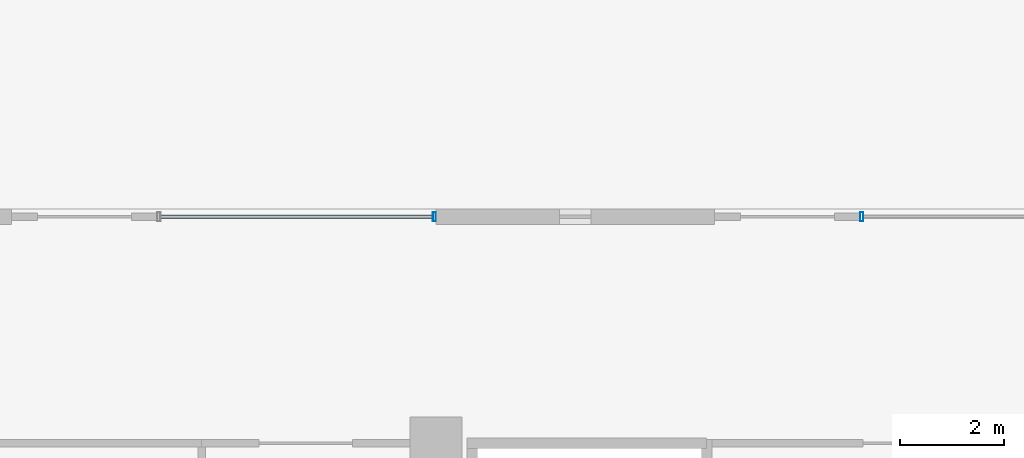
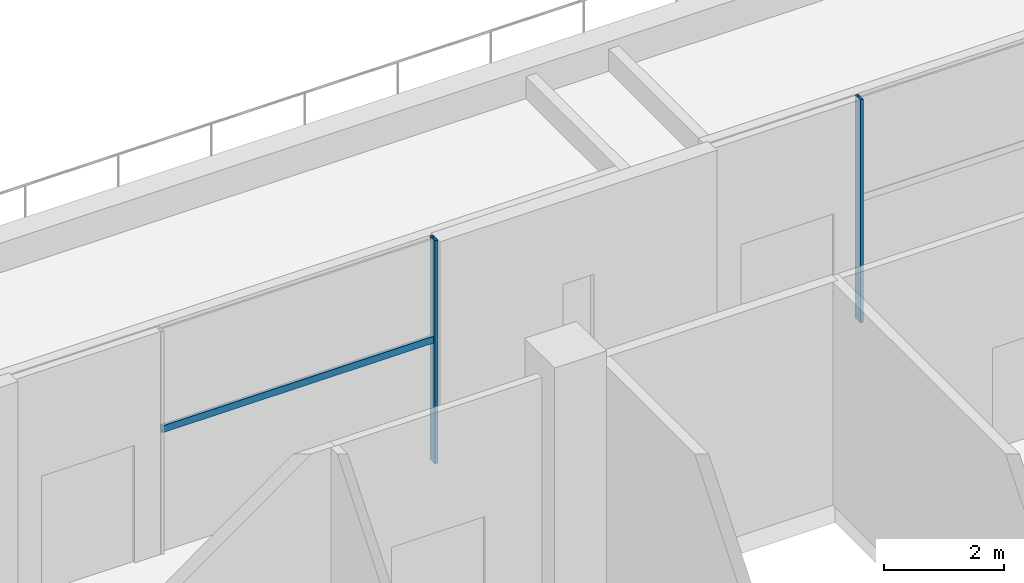
# One storey, part 21 of 49: 3 members, 2 elements without a shape of their own.
"""IFC4 building model written with IfcOpenShell, lengths in metres."""

from ifc_helpers import new_model, si_unit, direction, frame, origin, origin_2d, place, context, subcontext, project, spatial, hollow_rectangle, extrude, material, material_profile, profile_set, type_object, element, aggregate, save


model = new_model("IFC4")

# Units and contexts
model_context = context("Model", 3, precision=1e-05, world=origin(), true_north=direction((0.0, 1.0)))
body_context = subcontext(model_context, "Body", "Model", "MODEL_VIEW")
ifc_project = project(units=[si_unit("LENGTHUNIT", "METRE"), si_unit("AREAUNIT", "SQUARE_METRE"), si_unit("VOLUMEUNIT", "CUBIC_METRE"), si_unit("PLANEANGLEUNIT", "RADIAN"), si_unit("MASSUNIT", "GRAM", prefix="KILO")], contexts=[model_context])

# Site, building, storey
site_placement = place(None, origin())
site = spatial("IfcSite", under=ifc_project, at=site_placement, CompositionType="ELEMENT")
building_placement = place(site_placement, origin())
building = spatial("IfcBuilding", under=site, at=building_placement, Name="Altepetl Exchange Towers", CompositionType="ELEMENT")
storey_placement = place(building_placement, frame((0.0, 0.0, 11.5)))
storey = spatial("IfcBuildingStorey", under=building, at=storey_placement, Name="L02 Exchange podium", CompositionType="ELEMENT", Elevation=11.5)

# Curtain wall, member
ifc_material_1 = material(Name="Aluminium 6063-T6 glazing", Category="aluminium")
curtain_wall_type = type_object("IfcCurtainWallType", Name="Podium storefront system", PredefinedType="NOTDEFINED", material=ifc_material_1)
curtain_wall_1_placement = place(storey_placement, origin())
curtain_wall_1 = element("IfcCurtainWall", 1, at=curtain_wall_1_placement, inside=storey, type_object=curtain_wall_type, Name="CW5 run", PredefinedType="NOTDEFINED")
ifc_material_2 = material(Name="Aluminium 6063-T6", Category="aluminium")
ifc_material_profile_1 = material_profile(ifc_material_2, hollow_rectangle(XDim=0.06005859375, YDim=0.175048828125, WallThickness=0.0029296875, at=origin_2d()), Name="Mullion 60x175 aluminium")
ifc_profile_set_1 = profile_set([ifc_material_profile_1], Name="Aluminium 6063-T6")
member_type_1 = type_object("IfcMemberType", Name="Mullion 60x175 aluminium", PredefinedType="MULLION", material=ifc_profile_set_1)
member_1_placement = place(storey_placement, frame((84.679931640625, 80.85009765625, 0.0), z_axis=(0.0, 0.0, 1.0), x_axis=(-1.0, 0.0, 0.0)))
member_1 = element("IfcMember", 2, at=member_1_placement, type_object=member_type_1, Name="MU4 mullion", PredefinedType="MULLION", context=body_context, shape_type="SweptSolid", body=[
    extrude(hollow_rectangle(XDim=0.06005859375, YDim=0.175048828125, WallThickness=0.0029296875, at=origin_2d()), origin(), (0.0, 0.0, 1.0), 4.550048828125),
])
aggregate(curtain_wall_1, [member_1])

# Curtain wall, members
curtain_wall_2_placement = place(storey_placement, origin())
curtain_wall_2 = element("IfcCurtainWall", 3, at=curtain_wall_2_placement, inside=storey, type_object=curtain_wall_type, Name="CW5 run", PredefinedType="NOTDEFINED")
member_2_placement = place(storey_placement, frame((76.469970703125, 80.85009765625, 0.0), z_axis=(0.0, 0.0, 1.0), x_axis=(-1.0, 0.0, 0.0)))
member_2 = element("IfcMember", 4, at=member_2_placement, type_object=member_type_1, Name="MU4 mullion", PredefinedType="MULLION", context=body_context, shape_type="SweptSolid", body=[
    extrude(hollow_rectangle(XDim=0.06005859375, YDim=0.175048828125, WallThickness=0.0029296875, at=origin_2d()), origin(), (0.0, 0.0, 1.0), 4.550048828125),
])
ifc_material_profile_2 = material_profile(ifc_material_2, hollow_rectangle(XDim=0.06005859375, YDim=0.139892578125, WallThickness=0.0029296875, at=origin_2d()), Name="Transom 60x140 aluminium")
ifc_profile_set_2 = profile_set([ifc_material_profile_2], Name="Aluminium 6063-T6")
member_type_2 = type_object("IfcMemberType", Name="Transom 60x140 aluminium", PredefinedType="USERDEFINED", material=ifc_profile_set_2)
member_3_placement = place(storey_placement, frame((76.43994140625, 80.85009765625, 2.5), z_axis=(-1.0, 0.0, 0.0), x_axis=(0.0, -1.0, 0.0)))
member_3 = element("IfcMember", 5, at=member_3_placement, type_object=member_type_2, Name="TR3 transom", ObjectType="TRANSOM", PredefinedType="USERDEFINED", context=body_context, shape_type="SweptSolid", body=[
    extrude(hollow_rectangle(XDim=0.06005859375, YDim=0.139892578125, WallThickness=0.0029296875, at=origin_2d()), origin(), (0.0, 0.0, 1.0), 5.22998046875),
])
aggregate(curtain_wall_2, [member_2, member_3])

save(model, "model.ifc")
